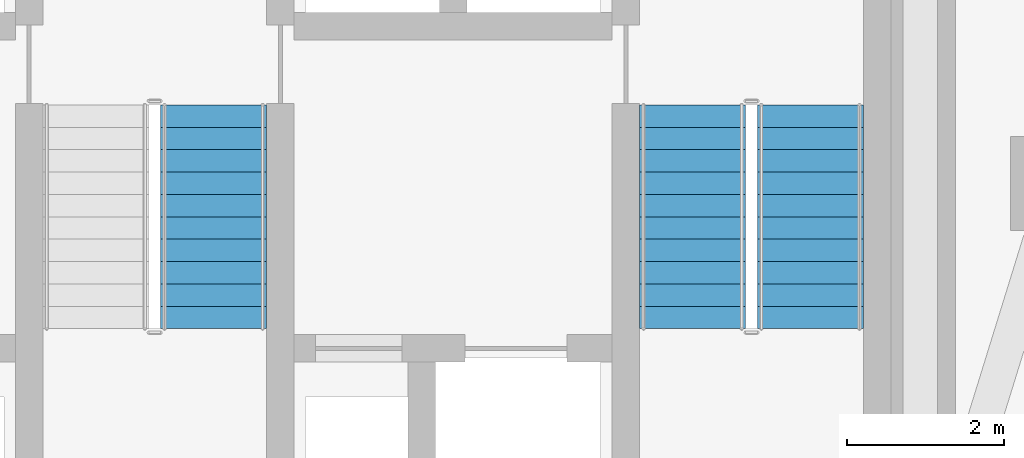
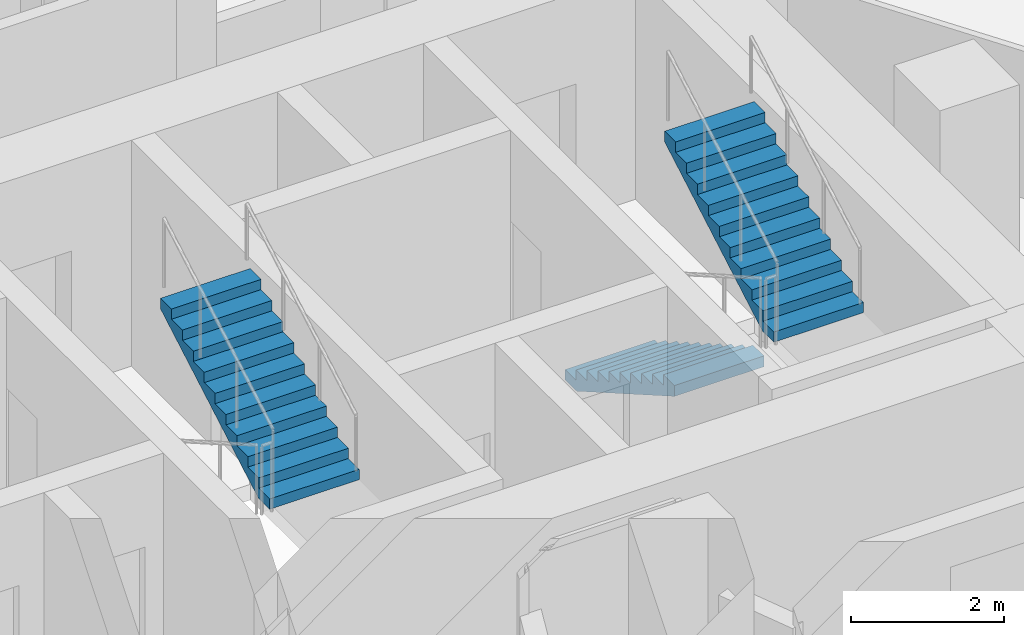
# One storey, part 10 of 13: 3 stair flights, 2 elements without a shape of their own.
"""IFC4 building model written with IfcOpenShell, lengths in metres."""

from ifc_helpers import new_model, si_unit, direction, frame, origin, place, context, subcontext, project, spatial, polyline, outline, extrude, material, type_object, element, aggregate, save


model = new_model("IFC4")

# Units and contexts
model_context = context("Model", 3, precision=1e-05, world=origin(), true_north=direction((0.0, 1.0)))
body_context = subcontext(model_context, "Body", "Model", "MODEL_VIEW")
ifc_project = project(units=[si_unit("LENGTHUNIT", "METRE"), si_unit("AREAUNIT", "SQUARE_METRE"), si_unit("VOLUMEUNIT", "CUBIC_METRE"), si_unit("PLANEANGLEUNIT", "RADIAN"), si_unit("MASSUNIT", "GRAM", prefix="KILO")], contexts=[model_context])

# Site, building, storey
site_placement = place(None, origin())
site = spatial("IfcSite", under=ifc_project, at=site_placement, CompositionType="ELEMENT")
building_placement = place(site_placement, origin())
building = spatial("IfcBuilding", under=site, at=building_placement, Name="Almagre Mirador Tower", CompositionType="ELEMENT")
storey_placement = place(building_placement, frame((0.0, 0.0, 82.199951171875)))
storey = spatial("IfcBuildingStorey", under=building, at=storey_placement, Name="L20", CompositionType="ELEMENT", Elevation=82.199951171875)

# Stair, stair flight
ifc_material_1 = material(Name="Concrete C45/55", Category="concrete")
stair_type = type_object("IfcStairType", Name="STR-DL-3600", PredefinedType="HALF_TURN_STAIR", material=ifc_material_1)
stair_1_placement = place(storey_placement, origin())
stair_1 = element("IfcStair", 1, at=stair_1_placement, inside=storey, type_object=stair_type, Name="L20 Protected exit stair ST-2", PredefinedType="HALF_TURN_STAIR")
ifc_material_2 = material(Name="Concrete C45/55", Category="concrete")
stair_flight_type = type_object("IfcStairFlightType", Name="FLT-DL-3600", PredefinedType="STRAIGHT", material=ifc_material_2)
stair_flight_1_placement = place(storey_placement, frame((38.050048828125, 8.35009765625, 1.800048828125), z_axis=(0.0, 0.0, 1.0), x_axis=(0.0, 1.0, 0.0)))
stair_flight_1 = element("IfcStairFlight", 2, at=stair_flight_1_placement, type_object=stair_flight_type, Name="ST-2 flight 2", NumberOfRisers=11, NumberOfTreads=10, PredefinedType="STRAIGHT", RiserHeight=0.163636364, TreadLength=0.285, context=body_context, shape_type="SweptSolid", body=[
    extrude(outline(polyline([(0.0, 0.0), (0.0, 0.16357421875), (0.284912109375, 0.16357421875), (0.284912109375, 0.327392578125), (0.570068359375, 0.327392578125), (0.570068359375, 0.490966796875), (0.85498046875, 0.490966796875), (0.85498046875, 0.654541015625), (1.139892578125, 0.654541015625), (1.139892578125, 0.818115234375), (1.425048828125, 0.818115234375), (1.425048828125, 0.98193359375), (1.7099609375, 0.98193359375), (1.7099609375, 1.1455078125), (1.9951171875, 1.1455078125), (1.9951171875, 1.30908203125), (2.280029296875, 1.30908203125), (2.280029296875, 1.47265625), (2.56494140625, 1.47265625), (2.56494140625, 1.636474609375), (2.85009765625, 1.636474609375), (2.85009765625, 1.800048828125), (2.85009765625, 1.463623046875), (0.301025390625, 0.0), (0.0, 0.0)])), frame((0.0, 0.675048828125, 0.0), z_axis=(0.0, -1.0, 0.0), x_axis=(1.0, 0.0, 0.0)), (0.0, 0.0, 1.0), 1.35009765625),
])
aggregate(stair_1, [stair_flight_1])

# Stair, stair flights
stair_2_placement = place(storey_placement, origin())
stair_2 = element("IfcStair", 3, at=stair_2_placement, inside=storey, type_object=stair_type, Name="L20 Protected exit stair ST-3", PredefinedType="HALF_TURN_STAIR")
stair_flight_2_placement = place(storey_placement, frame((44.14990234375, 11.199951171875, 0.0), z_axis=(0.0, 0.0, 1.0), x_axis=(0.0, -1.0, 0.0)))
stair_flight_2 = element("IfcStairFlight", 4, at=stair_flight_2_placement, type_object=stair_flight_type, Name="ST-3 flight 1", NumberOfRisers=11, NumberOfTreads=10, PredefinedType="STRAIGHT", RiserHeight=0.163636364, TreadLength=0.285, context=body_context, shape_type="SweptSolid", body=[
    extrude(outline(polyline([(0.0, 0.0), (0.0, 0.16357421875), (0.284912109375, 0.16357421875), (0.284912109375, 0.327392578125), (0.570068359375, 0.327392578125), (0.570068359375, 0.490966796875), (0.85498046875, 0.490966796875), (0.85498046875, 0.654541015625), (1.139892578125, 0.654541015625), (1.139892578125, 0.818115234375), (1.425048828125, 0.818115234375), (1.425048828125, 0.98193359375), (1.7099609375, 0.98193359375), (1.7099609375, 1.1455078125), (1.9951171875, 1.1455078125), (1.9951171875, 1.30908203125), (2.280029296875, 1.30908203125), (2.280029296875, 1.47265625), (2.56494140625, 1.47265625), (2.56494140625, 1.636474609375), (2.85009765625, 1.636474609375), (2.85009765625, 1.800048828125), (2.85009765625, 1.463623046875), (0.301025390625, 0.0), (0.0, 0.0)])), frame((0.0, 0.675048828125, 0.0), z_axis=(0.0, -1.0, 0.0), x_axis=(1.0, 0.0, 0.0)), (0.0, 0.0, 1.0), 1.35009765625),
])
stair_flight_3_placement = place(storey_placement, frame((45.64990234375, 8.35009765625, 1.800048828125), z_axis=(0.0, 0.0, 1.0), x_axis=(0.0, 1.0, 0.0)))
stair_flight_3 = element("IfcStairFlight", 5, at=stair_flight_3_placement, type_object=stair_flight_type, Name="ST-3 flight 2", NumberOfRisers=11, NumberOfTreads=10, PredefinedType="STRAIGHT", RiserHeight=0.163636364, TreadLength=0.285, context=body_context, shape_type="SweptSolid", body=[
    extrude(outline(polyline([(0.0, 0.0), (0.0, 0.16357421875), (0.284912109375, 0.16357421875), (0.284912109375, 0.327392578125), (0.570068359375, 0.327392578125), (0.570068359375, 0.490966796875), (0.85498046875, 0.490966796875), (0.85498046875, 0.654541015625), (1.139892578125, 0.654541015625), (1.139892578125, 0.818115234375), (1.425048828125, 0.818115234375), (1.425048828125, 0.98193359375), (1.7099609375, 0.98193359375), (1.7099609375, 1.1455078125), (1.9951171875, 1.1455078125), (1.9951171875, 1.30908203125), (2.280029296875, 1.30908203125), (2.280029296875, 1.47265625), (2.56494140625, 1.47265625), (2.56494140625, 1.636474609375), (2.85009765625, 1.636474609375), (2.85009765625, 1.800048828125), (2.85009765625, 1.463623046875), (0.301025390625, 0.0), (0.0, 0.0)])), frame((0.0, 0.675048828125, 0.0), z_axis=(0.0, -1.0, 0.0), x_axis=(1.0, 0.0, 0.0)), (0.0, 0.0, 1.0), 1.35009765625),
])
aggregate(stair_2, [stair_flight_2, stair_flight_3])

save(model, "model.ifc")
